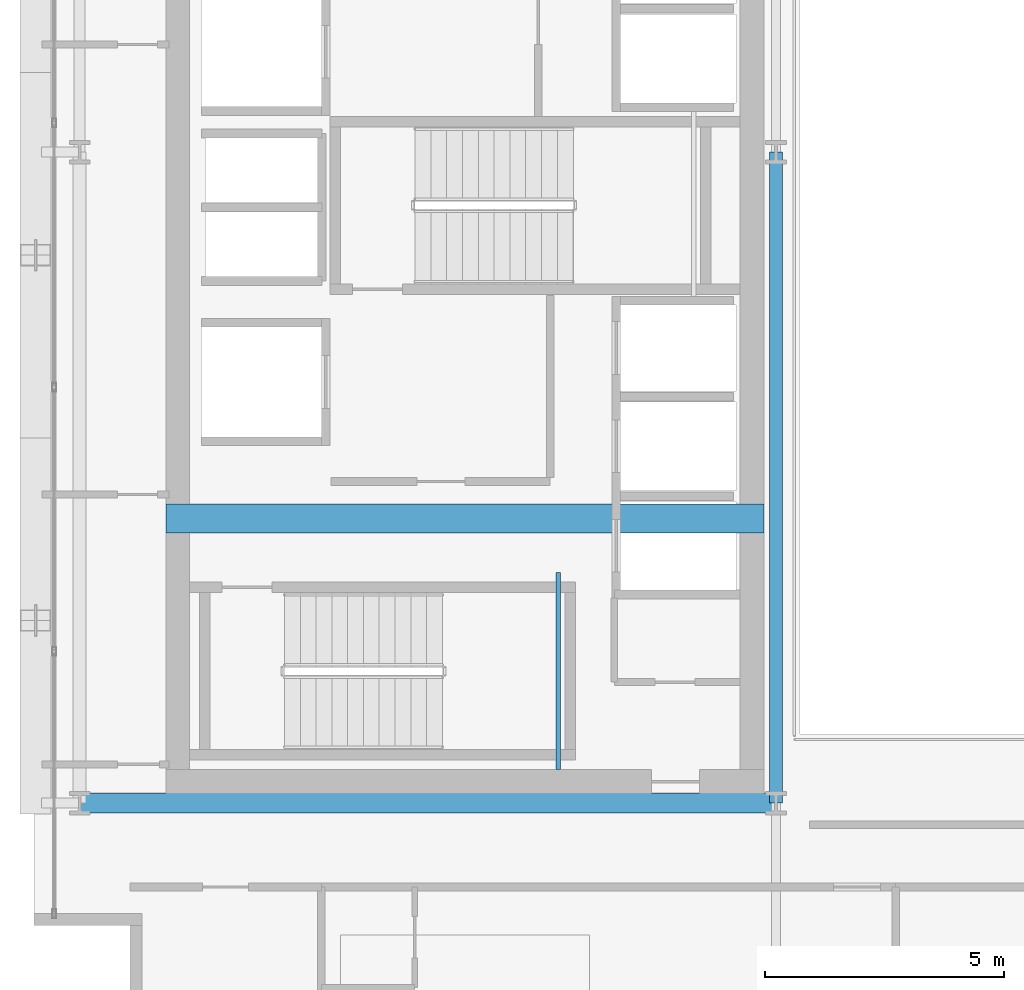
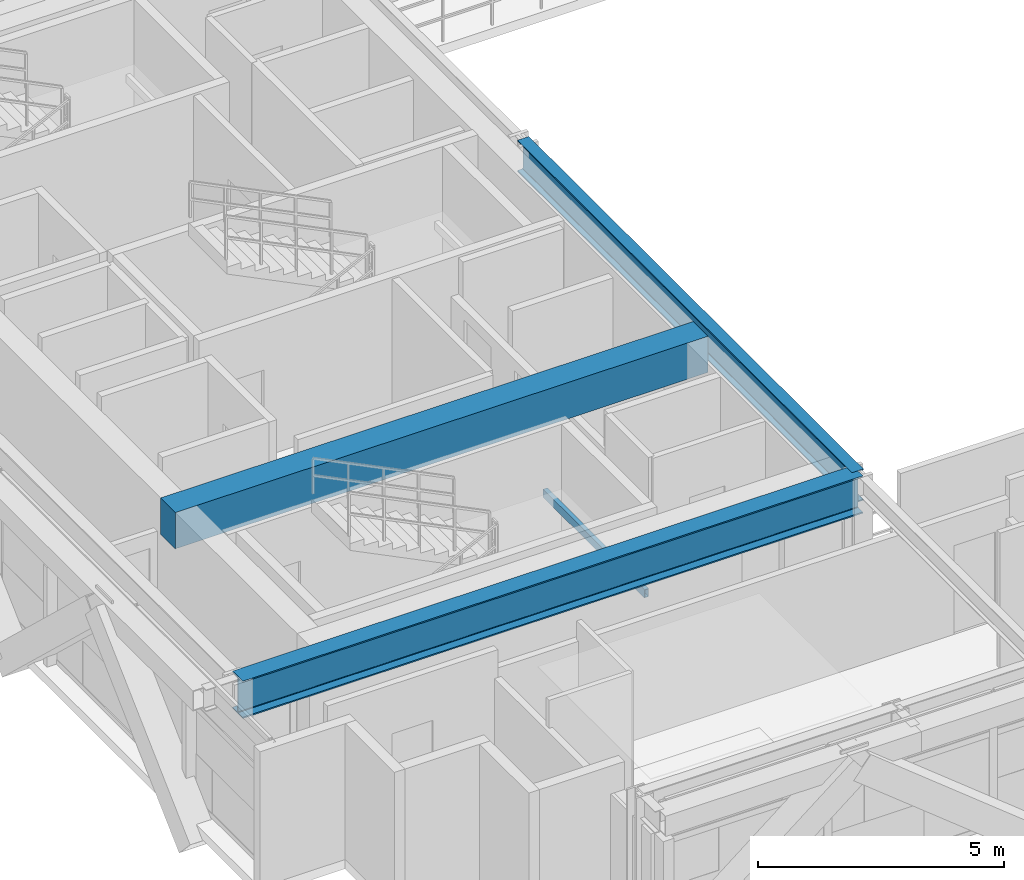
# One storey, part 5 of 30: 4 beams.
"""IFC4 building model written with IfcOpenShell, lengths in metres."""

from ifc_helpers import new_model, si_unit, direction, frame, origin, origin_2d, place, context, subcontext, project, spatial, rectangle, hollow_rectangle, i_section, extrude, source, transform, mapped, material, material_profile, profile_set, type_object, element, save


model = new_model("IFC4")

# Units and contexts
model_context = context("Model", 3, precision=1e-05, world=origin(), true_north=direction((0.0, 1.0)))
body_context = subcontext(model_context, "Body", "Model", "MODEL_VIEW")
ifc_project = project(units=[si_unit("LENGTHUNIT", "METRE"), si_unit("AREAUNIT", "SQUARE_METRE"), si_unit("VOLUMEUNIT", "CUBIC_METRE"), si_unit("PLANEANGLEUNIT", "RADIAN"), si_unit("MASSUNIT", "GRAM", prefix="KILO")], contexts=[model_context])

# Site, building, storey
site_placement = place(None, origin())
site = spatial("IfcSite", under=ifc_project, at=site_placement, CompositionType="ELEMENT")
building_placement = place(site_placement, origin())
building = spatial("IfcBuilding", under=site, at=building_placement, Name="Ocotamira Hotel", CompositionType="ELEMENT")
storey_placement = place(building_placement, frame((0.0, 0.0, 195.60009765625)))
storey = spatial("IfcBuildingStorey", under=building, at=storey_placement, Name="L49", CompositionType="ELEMENT", Elevation=195.60009765625)

# Beams
ifc_material_1 = material(Name="Concrete C50/60", Category="concrete")
ifc_material_profile_1 = material_profile(ifc_material_1, rectangle(XDim=0.60009765625, YDim=0.89990234375, at=origin_2d()), Name="RC600X900")
ifc_profile_set_1 = profile_set([ifc_material_profile_1], Name="Concrete C50/60")
beam_type_1 = type_object("IfcBeamType", Name="BM-LINK-RC600", PredefinedType="LINTEL", material=ifc_profile_set_1)
shared_shape_1 = source(origin(), body_context, "Body", "SweptSolid", [
    extrude(rectangle(XDim=0.60009765625, YDim=0.89990234375, at=origin_2d()), origin(), (0.0, 0.0, 1.0), 12.5),
])
beam_1_placement = place(storey_placement, frame((10.75, 20.5, 2.919921875), z_axis=(1.0, 0.0, 0.0), x_axis=(0.0, 1.0, 0.0)))
element("IfcBeam", 1, at=beam_1_placement, inside=storey, type_object=beam_type_1, Name="L49 West Core Coupling Beam", PredefinedType="LINTEL", context=body_context, shape_type="MappedRepresentation", body=[
    mapped(shared_shape_1, transform((0.0, 0.0, 0.0), scale=1.0)),
])
ifc_material_2 = material(Name="Steel ASTM A500 Grade C", Category="steel")
ifc_material_profile_2 = material_profile(ifc_material_2, hollow_rectangle(XDim=0.10009765625, YDim=0.199951171875, WallThickness=0.008056640625, at=origin_2d()), Name="HSS200X100X8")
ifc_profile_set_2 = profile_set([ifc_material_profile_2], Name="Steel ASTM A500 Grade C")
beam_type_2 = type_object("IfcBeamType", Name="BM-STLDG-HSS200", PredefinedType="BEAM", material=ifc_profile_set_2)
shared_shape_2 = source(origin(), body_context, "Body", "SweptSolid", [
    extrude(hollow_rectangle(XDim=0.10009765625, YDim=0.199951171875, WallThickness=0.008056640625, at=origin_2d()), origin(), (0.0, 0.0, 1.0), 4.1201171875),
])
beam_2_placement = place(storey_placement, frame((18.949951171875, 15.25, 1.5), z_axis=(0.0, 1.0, 0.0), x_axis=(-1.0, 0.0, 0.0)))
element("IfcBeam", 2, at=beam_2_placement, inside=storey, type_object=beam_type_2, Name="L49 Stair ST-1 Landing Bearer 1", PredefinedType="BEAM", context=body_context, shape_type="MappedRepresentation", body=[
    mapped(shared_shape_2, transform((0.0, 0.0, 0.0), scale=1.0)),
])
ifc_material_3 = material(Name="Steel ASTM A992 Grade 50", Category="steel")
ifc_material_profile_3 = material_profile(ifc_material_3, i_section(OverallWidth=0.41796875, OverallDepth=0.927001953125, WebThickness=0.019287109375, FlangeThickness=0.031982421875, FilletRadius=0.02392578125, at=origin_2d()), Name="W36X231")
ifc_profile_set_3 = profile_set([ifc_material_profile_3], Name="Steel ASTM A992 Grade 50")
beam_type_3 = type_object("IfcBeamType", Name="BM-GIRD-W36X231", PredefinedType="BEAM", material=ifc_profile_set_3)
shared_shape_3 = source(origin(), body_context, "Body", "SweptSolid", [
    extrude(i_section(OverallWidth=0.41796875, OverallDepth=0.927001953125, WebThickness=0.019287109375, FlangeThickness=0.031982421875, FilletRadius=0.02392578125, at=origin_2d()), origin(), (0.0, 0.0, 1.0), 14.550048828125),
])
beam_3_placement = place(storey_placement, frame((8.949951171875, 14.550048828125, 2.906494140625), z_axis=(1.0, 0.0, 0.0), x_axis=(0.0, 1.0, 0.0)))
element("IfcBeam", 3, at=beam_3_placement, inside=storey, type_object=beam_type_3, Name="L49 Girder Y14.55 X8.95-23.5", PredefinedType="BEAM", context=body_context, shape_type="MappedRepresentation", body=[
    mapped(shared_shape_3, transform((0.0, 0.0, 0.0), scale=1.0)),
])
ifc_material_profile_4 = material_profile(ifc_material_3, i_section(OverallWidth=0.26611328125, OverallDepth=0.779052734375, WebThickness=0.0166015625, FlangeThickness=0.030029296875, FilletRadius=0.01806640625, at=origin_2d()), Name="W30X148")
ifc_profile_set_4 = profile_set([ifc_material_profile_4], Name="Steel ASTM A992 Grade 50")
beam_type_4 = type_object("IfcBeamType", Name="BM-GIRD-W30X148", PredefinedType="BEAM", material=ifc_profile_set_4)
shared_shape_4 = source(origin(), body_context, "Body", "SweptSolid", [
    extrude(i_section(OverallWidth=0.26611328125, OverallDepth=0.779052734375, WebThickness=0.0166015625, FlangeThickness=0.030029296875, FilletRadius=0.01806640625, at=origin_2d()), origin(), (0.0, 0.0, 1.0), 13.599853515625),
])
beam_4_placement = place(storey_placement, frame((23.5, 14.550048828125, 2.98046875), z_axis=(0.0, 1.0, 0.0), x_axis=(-1.0, 0.0, 0.0)))
element("IfcBeam", 4, at=beam_4_placement, inside=storey, type_object=beam_type_4, Name="L49 Beam X23.5 Y14.55-28.15", PredefinedType="BEAM", context=body_context, shape_type="MappedRepresentation", body=[
    mapped(shared_shape_4, transform((0.0, 0.0, 0.0), scale=1.0)),
])

save(model, "model.ifc")
